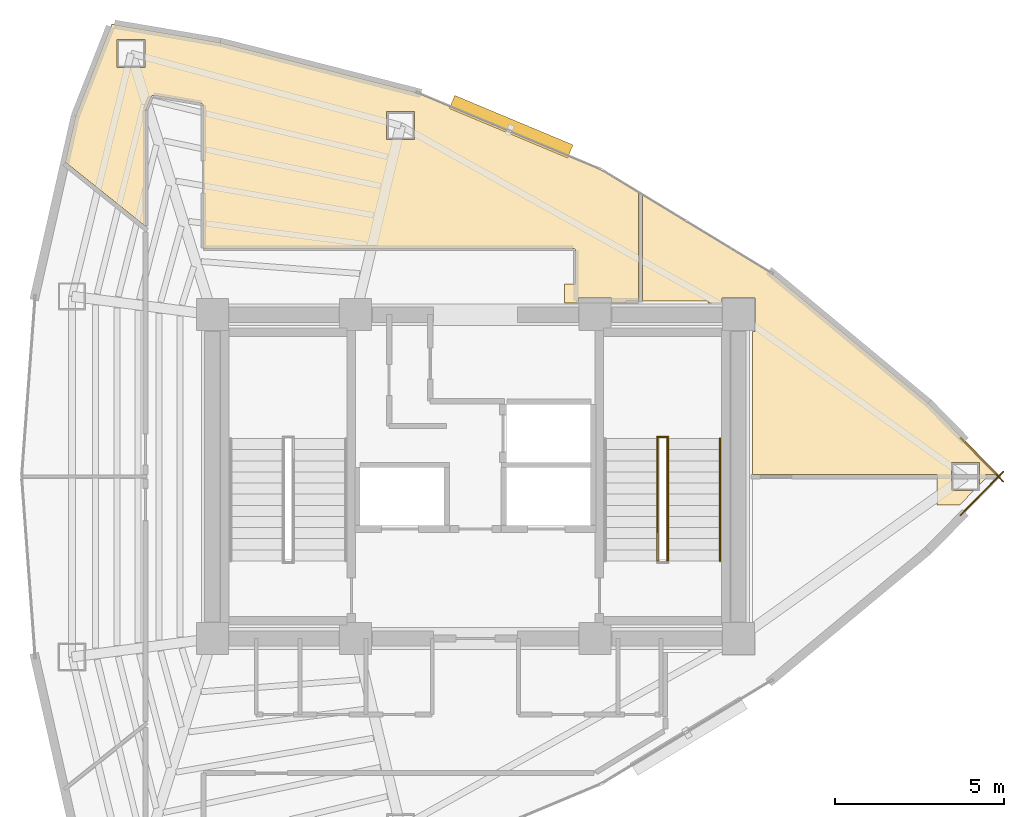
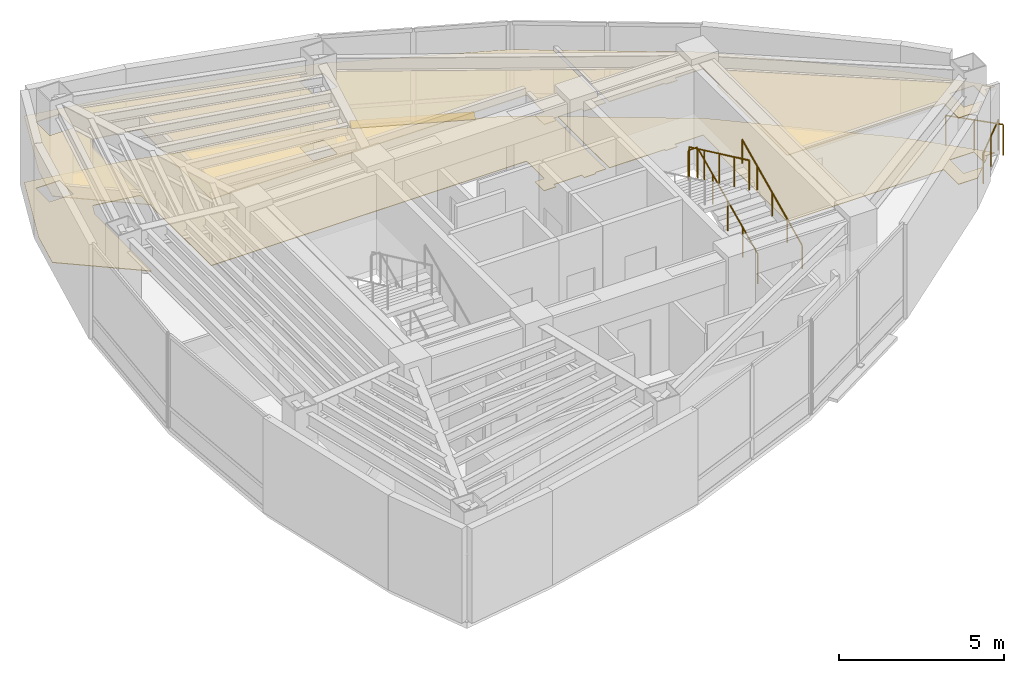
# One storey, part 15 of 15: 6 railings, 4 coverings, 1 shading device.
"""IFC4 building model written with IfcOpenShell, lengths in metres."""

from ifc_helpers import new_model, si_unit, direction, frame, origin, origin_2d, place, context, subcontext, project, spatial, polyline, rectangle, circle, outline, extrude, material, layer, layer_set, type_object, element, save


model = new_model("IFC4")

# Units and contexts
model_context = context("Model", 3, precision=1e-05, world=origin(), true_north=direction((0.0, 1.0)))
body_context = subcontext(model_context, "Body", "Model", "MODEL_VIEW")
ifc_project = project(units=[si_unit("LENGTHUNIT", "METRE"), si_unit("AREAUNIT", "SQUARE_METRE"), si_unit("VOLUMEUNIT", "CUBIC_METRE"), si_unit("PLANEANGLEUNIT", "RADIAN"), si_unit("MASSUNIT", "GRAM", prefix="KILO")], contexts=[model_context])

# Site, building, storey
site_placement = place(None, origin())
site = spatial("IfcSite", under=ifc_project, at=site_placement, CompositionType="ELEMENT")
building_placement = place(site_placement, origin())
building = spatial("IfcBuilding", under=site, at=building_placement, Name="Menara Vayukalpa", CompositionType="ELEMENT")
storey_placement = place(building_placement, frame((0.0, 0.0, 262.02001953125)))
storey = spatial("IfcBuildingStorey", under=building, at=storey_placement, Name="L66", CompositionType="ELEMENT", Elevation=262.02001953125)

# Coverings
ifc_material_1 = material(Name="Mineral Fibre Acoustic Ceiling Tile", Category="masonry")
ifc_layer_1 = layer(ifc_material_1, 0.02490234375)
ifc_layer_set_1 = layer_set([ifc_layer_1], Name="Mineral Fibre Acoustic Ceiling Tile")
covering_type_1 = type_object("IfcCoveringType", Name="COV-CLG1", PredefinedType="CEILING", material=ifc_layer_set_1)
covering_1_placement = place(storey_placement, frame((0.0, 0.0, 2.449951171875)))
element("IfcCovering", 1, at=covering_1_placement, inside=storey, type_object=covering_type_1, Name="L66 Technical Reference Library Acoustic Ceiling", PredefinedType="CEILING", context=body_context, shape_type="SweptSolid", body=[
    extrude(outline(polyline([(33.820068359375, 22.06005859375), (33.819091796875, 22.06005859375), (33.818115234375, 22.060302734375), (33.817138671875, 22.060302734375), (33.816162109375, 22.060791015625), (33.815185546875, 22.061279296875), (33.814453125, 22.061767578125), (33.813720703125, 22.062255859375), (33.81298828125, 22.06298828125), (33.812255859375, 22.063720703125), (33.811767578125, 22.064453125), (33.811279296875, 22.065185546875), (33.810791015625, 22.066162109375), (33.810302734375, 22.067138671875), (33.810302734375, 22.068115234375), (33.81005859375, 22.069091796875), (33.81005859375, 22.070068359375), (33.81005859375, 26.31005859375), (33.889892578125, 26.31005859375), (33.889892578125, 27.2900390625), (32.909912109375, 27.2900390625), (32.909912109375, 27.14990234375), (32.489990234375, 27.14990234375), (32.489990234375, 27.2099609375), (30.570068359375, 27.2099609375), (30.569091796875, 27.2099609375), (30.568115234375, 27.210205078125), (30.567138671875, 27.21044921875), (30.566162109375, 27.210693359375), (30.565185546875, 27.211181640625), (30.564453125, 27.211669921875), (30.563720703125, 27.21240234375), (30.56298828125, 27.212890625), (30.562255859375, 27.213623046875), (30.561767578125, 27.21435546875), (30.561279296875, 27.21533203125), (30.560791015625, 27.21630859375), (30.560302734375, 27.217041015625), (30.560302734375, 27.218017578125), (30.56005859375, 27.218994140625), (30.56005859375, 27.219970703125), (30.56005859375, 30.329345703125), (30.56005859375, 30.330322265625), (30.560302734375, 30.331298828125), (30.560302734375, 30.33203125), (30.560791015625, 30.3330078125), (30.56103515625, 30.333984375), (30.5615234375, 30.334716796875), (30.562255859375, 30.33544921875), (30.562744140625, 30.336181640625), (30.5634765625, 30.3369140625), (30.564208984375, 30.33740234375), (30.565185546875, 30.337890625), (30.56591796875, 30.33837890625), (30.56689453125, 30.3388671875), (30.56787109375, 30.339111328125), (30.568603515625, 30.339111328125), (30.569580078125, 30.33935546875), (30.570556640625, 30.33935546875), (30.571533203125, 30.339111328125), (30.572509765625, 30.339111328125), (30.573486328125, 30.338623046875), (30.57421875, 30.33837890625), (30.5751953125, 30.337890625), (34.37353515625, 28.030517578125), (34.374755859375, 28.02978515625), (39.0205078125, 24.177001953125), (39.021240234375, 24.17626953125), (41.082275390625, 22.076904296875), (41.0830078125, 22.076416015625), (41.08349609375, 22.075439453125), (41.083984375, 22.07470703125), (41.08447265625, 22.07373046875), (41.084716796875, 22.07275390625), (41.0849609375, 22.072021484375), (41.085205078125, 22.07080078125), (41.085205078125, 22.06982421875), (41.0849609375, 22.069091796875), (41.0849609375, 22.068115234375), (41.084716796875, 22.06689453125), (41.084228515625, 22.066162109375), (41.083984375, 22.065185546875), (41.08349609375, 22.064453125), (41.082763671875, 22.063720703125), (41.08203125, 22.06298828125), (41.081298828125, 22.062255859375), (41.08056640625, 22.061767578125), (41.079833984375, 22.061279296875), (41.078857421875, 22.060791015625), (41.077880859375, 22.060302734375), (41.076904296875, 22.060302734375), (41.076171875, 22.06005859375), (41.0751953125, 22.06005859375), (40.720703125, 22.06005859375), (40.779541015625, 22.0), (40.536865234375, 21.7529296875), (40.536865234375, 22.4150390625), (39.706787109375, 22.4150390625), (39.706787109375, 21.5849609375), (40.3720703125, 21.5849609375), (39.959716796875, 21.1650390625), (39.286865234375, 21.1650390625), (39.286865234375, 22.06005859375), (33.820068359375, 22.06005859375)])), origin(), (0.0, 0.0, 1.0), 0.025146484375),
])
covering_2_placement = place(storey_placement, frame((0.0, 0.0, 2.449951171875)))
element("IfcCovering", 2, at=covering_2_placement, inside=storey, type_object=covering_type_1, Name="L66 Technical Reference Library Acoustic Ceiling", PredefinedType="CEILING", context=body_context, shape_type="SweptSolid", body=[
    extrude(outline(polyline([(28.569580078125, 28.706787109375), (28.568603515625, 28.713623046875), (28.56689453125, 28.72021484375), (28.564697265625, 28.726806640625), (28.561767578125, 28.73291015625), (28.55810546875, 28.73876953125), (28.553955078125, 28.744384765625), (28.549560546875, 28.74951171875), (28.54443359375, 28.75390625), (28.538818359375, 28.75830078125), (28.532958984375, 28.76171875), (28.52685546875, 28.7646484375), (28.520263671875, 28.76708984375), (28.513671875, 28.768798828125), (28.5068359375, 28.76953125), (28.499755859375, 28.77001953125), (17.5400390625, 28.77001953125), (17.5390625, 28.77001953125), (17.5380859375, 28.770263671875), (17.537109375, 28.7705078125), (17.5361328125, 28.770751953125), (17.535400390625, 28.771240234375), (17.534423828125, 28.771728515625), (17.53369140625, 28.772216796875), (17.532958984375, 28.77294921875), (17.5322265625, 28.773681640625), (17.53173828125, 28.7744140625), (17.53125, 28.775390625), (17.53076171875, 28.776123046875), (17.530517578125, 28.777099609375), (17.5302734375, 28.778076171875), (17.530029296875, 28.779052734375), (17.530029296875, 28.780029296875), (17.530029296875, 32.995849609375), (17.529541015625, 33.003173828125), (17.528564453125, 33.010009765625), (17.52685546875, 33.016845703125), (17.5244140625, 33.0234375), (17.521484375, 33.02978515625), (17.517822265625, 33.03564453125), (17.513427734375, 33.041259765625), (17.5087890625, 33.04638671875), (17.50341796875, 33.05078125), (17.497802734375, 33.05517578125), (17.49169921875, 33.05859375), (17.485107421875, 33.061279296875), (17.478515625, 33.063720703125), (17.471435546875, 33.065185546875), (16.06201171875, 33.304443359375), (16.054931640625, 33.305419921875), (16.048095703125, 33.305419921875), (16.041259765625, 33.304931640625), (16.034423828125, 33.3037109375), (16.02783203125, 33.302001953125), (16.021484375, 33.299560546875), (16.015625, 33.29638671875), (16.009765625, 33.292724609375), (16.00439453125, 33.28857421875), (15.999267578125, 33.283935546875), (15.994873046875, 33.27880859375), (15.990966796875, 33.273193359375), (15.987548828125, 33.267333984375), (15.984619140625, 33.2607421875), (15.8349609375, 32.87939453125), (15.832763671875, 32.873291015625), (15.831298828125, 32.86669921875), (15.830322265625, 32.8603515625), (15.830078125, 32.853515625), (15.830078125, 29.43359375), (15.830078125, 29.4326171875), (15.829833984375, 29.431640625), (15.82958984375, 29.4306640625), (15.8291015625, 29.4296875), (15.828857421875, 29.428955078125), (15.828369140625, 29.427978515625), (15.827880859375, 29.42724609375), (15.8271484375, 29.426513671875), (15.826416015625, 29.42578125), (15.82568359375, 29.42529296875), (15.82470703125, 29.4248046875), (15.823974609375, 29.42431640625), (15.822998046875, 29.424072265625), (15.822021484375, 29.423828125), (15.821044921875, 29.423583984375), (15.820068359375, 29.423583984375), (15.819091796875, 29.423583984375), (15.818115234375, 29.423828125), (15.817138671875, 29.424072265625), (15.81640625, 29.42431640625), (15.8154296875, 29.4248046875), (15.814453125, 29.42529296875), (15.813720703125, 29.42578125), (13.44921875, 31.3173828125), (13.448974609375, 31.317626953125), (13.448486328125, 31.318115234375), (13.44775390625, 31.31884765625), (13.447021484375, 31.319580078125), (13.4462890625, 31.3203125), (13.44580078125, 31.3212890625), (13.445556640625, 31.322021484375), (13.4453125, 31.322998046875), (13.445068359375, 31.323974609375), (13.44482421875, 31.324951171875), (13.44482421875, 31.325927734375), (13.44482421875, 31.326904296875), (13.445068359375, 31.327880859375), (13.75146484375, 32.689697265625), (13.751708984375, 32.690185546875), (13.751953125, 32.691162109375), (14.8173828125, 35.404541015625), (14.81787109375, 35.4052734375), (14.818359375, 35.40625), (14.81884765625, 35.406982421875), (14.819580078125, 35.40771484375), (14.8203125, 35.408447265625), (14.821044921875, 35.408935546875), (14.822021484375, 35.409423828125), (14.82275390625, 35.409912109375), (14.82373046875, 35.410400390625), (14.82470703125, 35.41064453125), (14.82568359375, 35.41064453125), (14.826416015625, 35.410888671875), (14.827392578125, 35.410888671875), (14.82861328125, 35.41064453125), (18.027587890625, 34.867431640625), (18.028564453125, 34.8671875), (23.877197265625, 33.375732421875), (23.878662109375, 33.375244140625), (29.32568359375, 31.0966796875), (29.326416015625, 31.09619140625), (29.3271484375, 31.095947265625), (30.435546875, 30.422607421875), (30.436279296875, 30.422119140625), (30.437255859375, 30.42138671875), (30.437744140625, 30.4208984375), (30.4384765625, 30.419921875), (30.43896484375, 30.419189453125), (30.439453125, 30.418212890625), (30.439697265625, 30.41748046875), (30.440185546875, 30.41650390625), (30.440185546875, 30.41552734375), (30.4404296875, 30.41455078125), (30.4404296875, 30.41357421875), (30.440185546875, 30.41259765625), (30.440185546875, 30.412353515625), (30.43994140625, 30.40673828125), (30.43994140625, 27.219970703125), (30.43994140625, 27.218994140625), (30.439697265625, 27.218017578125), (30.439697265625, 27.217041015625), (30.439208984375, 27.21630859375), (30.438720703125, 27.21533203125), (30.438232421875, 27.21435546875), (30.437744140625, 27.213623046875), (30.43701171875, 27.212890625), (30.436279296875, 27.21240234375), (30.435546875, 27.211669921875), (30.434814453125, 27.211181640625), (30.433837890625, 27.210693359375), (30.432861328125, 27.21044921875), (30.431884765625, 27.210205078125), (30.430908203125, 27.2099609375), (30.429931640625, 27.2099609375), (30.06005859375, 27.2099609375), (30.06005859375, 27.14990234375), (29.639892578125, 27.14990234375), (29.639892578125, 27.2900390625), (28.659912109375, 27.2900390625), (28.659912109375, 27.14990234375), (28.239990234375, 27.14990234375), (28.239990234375, 27.7099609375), (28.570068359375, 27.7099609375), (28.570068359375, 28.69970703125), (28.569580078125, 28.706787109375)]), holes=[polyline([(15.80419921875, 34.959716796875), (14.97412109375, 34.959716796875), (14.97412109375, 34.129638671875), (15.80419921875, 34.129638671875), (15.80419921875, 34.959716796875)]), polyline([(23.796875, 32.81982421875), (22.966796875, 32.81982421875), (22.966796875, 31.98974609375), (23.796875, 31.98974609375), (23.796875, 32.81982421875)])]), origin(), (0.0, 0.0, 1.0), 0.025146484375),
])
ifc_material_2 = material(Name="Porcelain Stoneware Floor Tile", Category="masonry")
ifc_layer_2 = layer(ifc_material_2, 0.02001953125)
ifc_layer_set_2 = layer_set([ifc_layer_2], Name="Porcelain Stoneware Floor Tile")
covering_type_2 = type_object("IfcCoveringType", Name="COV-FLR1", PredefinedType="FLOORING", material=ifc_layer_set_2)
covering_3_placement = place(storey_placement, origin())
element("IfcCovering", 3, at=covering_3_placement, inside=storey, type_object=covering_type_2, Name="L66 Technical Reference Library Porcelain Flooring", PredefinedType="FLOORING", context=body_context, shape_type="SweptSolid", body=[
    extrude(outline(polyline([(33.820068359375, 22.06005859375), (33.819091796875, 22.06005859375), (33.818115234375, 22.060302734375), (33.817138671875, 22.060302734375), (33.816162109375, 22.060791015625), (33.815185546875, 22.061279296875), (33.814453125, 22.061767578125), (33.813720703125, 22.062255859375), (33.81298828125, 22.06298828125), (33.812255859375, 22.063720703125), (33.811767578125, 22.064453125), (33.811279296875, 22.065185546875), (33.810791015625, 22.066162109375), (33.810302734375, 22.067138671875), (33.810302734375, 22.068115234375), (33.81005859375, 22.069091796875), (33.81005859375, 22.070068359375), (33.81005859375, 26.31005859375), (33.889892578125, 26.31005859375), (33.889892578125, 27.2900390625), (32.909912109375, 27.2900390625), (32.909912109375, 27.14990234375), (32.489990234375, 27.14990234375), (32.489990234375, 27.2099609375), (30.570068359375, 27.2099609375), (30.569091796875, 27.2099609375), (30.568115234375, 27.210205078125), (30.567138671875, 27.21044921875), (30.566162109375, 27.210693359375), (30.565185546875, 27.211181640625), (30.564453125, 27.211669921875), (30.563720703125, 27.21240234375), (30.56298828125, 27.212890625), (30.562255859375, 27.213623046875), (30.561767578125, 27.21435546875), (30.561279296875, 27.21533203125), (30.560791015625, 27.21630859375), (30.560302734375, 27.217041015625), (30.560302734375, 27.218017578125), (30.56005859375, 27.218994140625), (30.56005859375, 27.219970703125), (30.56005859375, 30.329345703125), (30.56005859375, 30.330322265625), (30.560302734375, 30.331298828125), (30.560302734375, 30.33203125), (30.560791015625, 30.3330078125), (30.56103515625, 30.333984375), (30.5615234375, 30.334716796875), (30.562255859375, 30.33544921875), (30.562744140625, 30.336181640625), (30.5634765625, 30.3369140625), (30.564208984375, 30.33740234375), (30.565185546875, 30.337890625), (30.56591796875, 30.33837890625), (30.56689453125, 30.3388671875), (30.56787109375, 30.339111328125), (30.568603515625, 30.339111328125), (30.569580078125, 30.33935546875), (30.570556640625, 30.33935546875), (30.571533203125, 30.339111328125), (30.572509765625, 30.339111328125), (30.573486328125, 30.338623046875), (30.57421875, 30.33837890625), (30.5751953125, 30.337890625), (34.37353515625, 28.030517578125), (34.374755859375, 28.02978515625), (39.0205078125, 24.177001953125), (39.021240234375, 24.17626953125), (41.082275390625, 22.076904296875), (41.0830078125, 22.076416015625), (41.08349609375, 22.075439453125), (41.083984375, 22.07470703125), (41.08447265625, 22.07373046875), (41.084716796875, 22.07275390625), (41.0849609375, 22.072021484375), (41.085205078125, 22.07080078125), (41.085205078125, 22.06982421875), (41.0849609375, 22.069091796875), (41.0849609375, 22.068115234375), (41.084716796875, 22.06689453125), (41.084228515625, 22.066162109375), (41.083984375, 22.065185546875), (41.08349609375, 22.064453125), (41.082763671875, 22.063720703125), (41.08203125, 22.06298828125), (41.081298828125, 22.062255859375), (41.08056640625, 22.061767578125), (41.079833984375, 22.061279296875), (41.078857421875, 22.060791015625), (41.077880859375, 22.060302734375), (41.076904296875, 22.060302734375), (41.076171875, 22.06005859375), (41.0751953125, 22.06005859375), (40.720703125, 22.06005859375), (40.779541015625, 22.0), (40.536865234375, 21.7529296875), (40.536865234375, 22.4150390625), (39.706787109375, 22.4150390625), (39.706787109375, 21.5849609375), (40.3720703125, 21.5849609375), (39.959716796875, 21.1650390625), (39.286865234375, 21.1650390625), (39.286865234375, 22.06005859375), (33.820068359375, 22.06005859375)])), origin(), (0.0, 0.0, 1.0), 0.02001953125),
])
covering_4_placement = place(storey_placement, origin())
element("IfcCovering", 4, at=covering_4_placement, inside=storey, type_object=covering_type_2, Name="L66 Technical Reference Library Porcelain Flooring", PredefinedType="FLOORING", context=body_context, shape_type="SweptSolid", body=[
    extrude(outline(polyline([(28.569580078125, 28.706787109375), (28.568603515625, 28.713623046875), (28.56689453125, 28.72021484375), (28.564697265625, 28.726806640625), (28.561767578125, 28.73291015625), (28.55810546875, 28.73876953125), (28.553955078125, 28.744384765625), (28.549560546875, 28.74951171875), (28.54443359375, 28.75390625), (28.538818359375, 28.75830078125), (28.532958984375, 28.76171875), (28.52685546875, 28.7646484375), (28.520263671875, 28.76708984375), (28.513671875, 28.768798828125), (28.5068359375, 28.76953125), (28.499755859375, 28.77001953125), (17.5400390625, 28.77001953125), (17.5390625, 28.77001953125), (17.5380859375, 28.770263671875), (17.537109375, 28.7705078125), (17.5361328125, 28.770751953125), (17.535400390625, 28.771240234375), (17.534423828125, 28.771728515625), (17.53369140625, 28.772216796875), (17.532958984375, 28.77294921875), (17.5322265625, 28.773681640625), (17.53173828125, 28.7744140625), (17.53125, 28.775390625), (17.53076171875, 28.776123046875), (17.530517578125, 28.777099609375), (17.5302734375, 28.778076171875), (17.530029296875, 28.779052734375), (17.530029296875, 28.780029296875), (17.530029296875, 32.995849609375), (17.529541015625, 33.003173828125), (17.528564453125, 33.010009765625), (17.52685546875, 33.016845703125), (17.5244140625, 33.0234375), (17.521484375, 33.02978515625), (17.517822265625, 33.03564453125), (17.513427734375, 33.041259765625), (17.5087890625, 33.04638671875), (17.50341796875, 33.05078125), (17.497802734375, 33.05517578125), (17.49169921875, 33.05859375), (17.485107421875, 33.061279296875), (17.478515625, 33.063720703125), (17.471435546875, 33.065185546875), (16.06201171875, 33.304443359375), (16.054931640625, 33.305419921875), (16.048095703125, 33.305419921875), (16.041259765625, 33.304931640625), (16.034423828125, 33.3037109375), (16.02783203125, 33.302001953125), (16.021484375, 33.299560546875), (16.015625, 33.29638671875), (16.009765625, 33.292724609375), (16.00439453125, 33.28857421875), (15.999267578125, 33.283935546875), (15.994873046875, 33.27880859375), (15.990966796875, 33.273193359375), (15.987548828125, 33.267333984375), (15.984619140625, 33.2607421875), (15.8349609375, 32.87939453125), (15.832763671875, 32.873291015625), (15.831298828125, 32.86669921875), (15.830322265625, 32.8603515625), (15.830078125, 32.853515625), (15.830078125, 29.43359375), (15.830078125, 29.4326171875), (15.829833984375, 29.431640625), (15.82958984375, 29.4306640625), (15.8291015625, 29.4296875), (15.828857421875, 29.428955078125), (15.828369140625, 29.427978515625), (15.827880859375, 29.42724609375), (15.8271484375, 29.426513671875), (15.826416015625, 29.42578125), (15.82568359375, 29.42529296875), (15.82470703125, 29.4248046875), (15.823974609375, 29.42431640625), (15.822998046875, 29.424072265625), (15.822021484375, 29.423828125), (15.821044921875, 29.423583984375), (15.820068359375, 29.423583984375), (15.819091796875, 29.423583984375), (15.818115234375, 29.423828125), (15.817138671875, 29.424072265625), (15.81640625, 29.42431640625), (15.8154296875, 29.4248046875), (15.814453125, 29.42529296875), (15.813720703125, 29.42578125), (13.44921875, 31.3173828125), (13.448974609375, 31.317626953125), (13.448486328125, 31.318115234375), (13.44775390625, 31.31884765625), (13.447021484375, 31.319580078125), (13.4462890625, 31.3203125), (13.44580078125, 31.3212890625), (13.445556640625, 31.322021484375), (13.4453125, 31.322998046875), (13.445068359375, 31.323974609375), (13.44482421875, 31.324951171875), (13.44482421875, 31.325927734375), (13.44482421875, 31.326904296875), (13.445068359375, 31.327880859375), (13.75146484375, 32.689697265625), (13.751708984375, 32.690185546875), (13.751953125, 32.691162109375), (14.8173828125, 35.404541015625), (14.81787109375, 35.4052734375), (14.818359375, 35.40625), (14.81884765625, 35.406982421875), (14.819580078125, 35.40771484375), (14.8203125, 35.408447265625), (14.821044921875, 35.408935546875), (14.822021484375, 35.409423828125), (14.82275390625, 35.409912109375), (14.82373046875, 35.410400390625), (14.82470703125, 35.41064453125), (14.82568359375, 35.41064453125), (14.826416015625, 35.410888671875), (14.827392578125, 35.410888671875), (14.82861328125, 35.41064453125), (18.027587890625, 34.867431640625), (18.028564453125, 34.8671875), (23.877197265625, 33.375732421875), (23.878662109375, 33.375244140625), (29.32568359375, 31.0966796875), (29.326416015625, 31.09619140625), (29.3271484375, 31.095947265625), (30.435546875, 30.422607421875), (30.436279296875, 30.422119140625), (30.437255859375, 30.42138671875), (30.437744140625, 30.4208984375), (30.4384765625, 30.419921875), (30.43896484375, 30.419189453125), (30.439453125, 30.418212890625), (30.439697265625, 30.41748046875), (30.440185546875, 30.41650390625), (30.440185546875, 30.41552734375), (30.4404296875, 30.41455078125), (30.4404296875, 30.41357421875), (30.440185546875, 30.41259765625), (30.440185546875, 30.412353515625), (30.43994140625, 30.40673828125), (30.43994140625, 27.219970703125), (30.43994140625, 27.218994140625), (30.439697265625, 27.218017578125), (30.439697265625, 27.217041015625), (30.439208984375, 27.21630859375), (30.438720703125, 27.21533203125), (30.438232421875, 27.21435546875), (30.437744140625, 27.213623046875), (30.43701171875, 27.212890625), (30.436279296875, 27.21240234375), (30.435546875, 27.211669921875), (30.434814453125, 27.211181640625), (30.433837890625, 27.210693359375), (30.432861328125, 27.21044921875), (30.431884765625, 27.210205078125), (30.430908203125, 27.2099609375), (30.429931640625, 27.2099609375), (30.06005859375, 27.2099609375), (30.06005859375, 27.14990234375), (29.639892578125, 27.14990234375), (29.639892578125, 27.2900390625), (28.659912109375, 27.2900390625), (28.659912109375, 27.14990234375), (28.239990234375, 27.14990234375), (28.239990234375, 27.7099609375), (28.570068359375, 27.7099609375), (28.570068359375, 28.69970703125), (28.569580078125, 28.706787109375)]), holes=[polyline([(15.80419921875, 34.959716796875), (14.97412109375, 34.959716796875), (14.97412109375, 34.129638671875), (15.80419921875, 34.129638671875), (15.80419921875, 34.959716796875)]), polyline([(23.796875, 32.81982421875), (22.966796875, 32.81982421875), (22.966796875, 31.98974609375), (23.796875, 31.98974609375), (23.796875, 32.81982421875)])]), origin(), (0.0, 0.0, 1.0), 0.02001953125),
])

# Railings
ifc_material_3 = material(Name="Laminated Glass and Stainless Steel 316 Guardrail", Category="steel")
railing_type_1 = type_object("IfcRailingType", Name="RLG-EXT115", PredefinedType="GUARDRAIL", material=ifc_material_3)
railing_1_placement = place(storey_placement, frame((39.976318359375, 20.853515625, 0.0)))
element("IfcRailing", 5, at=railing_1_placement, inside=storey, type_object=railing_type_1, Name="L66 Column Corner Spandrel Guardrail 01-1", PredefinedType="GUARDRAIL", context=body_context, shape_type="SweptSolid", body=[
    extrude(circle(Radius=0.02392578125, at=origin_2d()), frame((0.0, 0.0, 1.1259765625), z_axis=(0.700555224103, 0.713598190848, 0.0), x_axis=(-0.713598190848, 0.700555224103, 0.0)), (0.0, 0.0, 1.0), 1.815673828125),
    extrude(circle(Radius=0.02099609375, at=origin_2d()), origin(), (0.0, 0.0, 1.0), 1.101806640625),
    extrude(circle(Radius=0.02099609375, at=origin_2d()), frame((0.635986328125, 0.64794921875, 0.0)), (0.0, 0.0, 1.0), 1.101806640625),
    extrude(circle(Radius=0.02099609375, at=origin_2d()), frame((1.27197265625, 1.295654296875, 0.0)), (0.0, 0.0, 1.0), 1.101806640625),
])
railing_2_placement = place(storey_placement, frame((41.248291015625, 21.850830078125, 0.0)))
element("IfcRailing", 6, at=railing_2_placement, inside=storey, type_object=railing_type_1, Name="L66 Column Corner Spandrel Guardrail 02-1", PredefinedType="GUARDRAIL", context=body_context, shape_type="SweptSolid", body=[
    extrude(circle(Radius=0.02392578125, at=origin_2d()), frame((0.0, 0.0, 1.1259765625), z_axis=(-0.700555224103, 0.713598190848, 0.0), x_axis=(-0.713598190848, -0.700555224103, 0.0)), (0.0, 0.0, 1.0), 1.815673828125),
    extrude(circle(Radius=0.02099609375, at=origin_2d()), origin(), (0.0, 0.0, 1.0), 1.101806640625),
    extrude(circle(Radius=0.02099609375, at=origin_2d()), frame((-0.635986328125, 0.64794921875, 0.0)), (0.0, 0.0, 1.0), 1.101806640625),
    extrude(circle(Radius=0.02099609375, at=origin_2d()), frame((-1.27197265625, 1.295654296875, 0.0)), (0.0, 0.0, 1.0), 1.101806640625),
])
ifc_material_4 = material(Name="Powder-Coated Galvanised Steel Guardrail", Category="steel")
railing_type_2 = type_object("IfcRailingType", Name="RLG-STG110", PredefinedType="GUARDRAIL", material=ifc_material_4)
railing_3_placement = place(storey_placement, frame((31.300048828125, 19.5, 0.155029296875)))
element("IfcRailing", 7, at=railing_3_placement, inside=storey, type_object=railing_type_2, Name="L66 ST-2 stair guard 1", PredefinedType="GUARDRAIL", context=body_context, shape_type="SweptSolid", body=[
    extrude(circle(Radius=0.02392578125, at=origin_2d()), frame((0.0, 0.0, 1.09619140625), z_axis=(0.0, 0.90513990983, 0.425113800803), x_axis=(-1.0, 0.0, 0.0)), (0.0, 0.0, 1.0), 4.01025390625),
    extrude(circle(Radius=0.02099609375, at=origin_2d()), origin(), (0.0, 0.0, 1.0), 1.072021484375),
    extrude(circle(Radius=0.02099609375, at=origin_2d()), frame((0.0, 0.907470703125, 0.42626953125)), (0.0, 0.0, 1.0), 1.072021484375),
    extrude(circle(Radius=0.02099609375, at=origin_2d()), frame((0.0, 1.81494140625, 0.8525390625)), (0.0, 0.0, 1.0), 1.072021484375),
    extrude(circle(Radius=0.02099609375, at=origin_2d()), frame((0.0, 2.722412109375, 1.278564453125)), (0.0, 0.0, 1.0), 1.072021484375),
    extrude(circle(Radius=0.02099609375, at=origin_2d()), frame((0.0, 3.6298828125, 1.704833984375)), (0.0, 0.0, 1.0), 1.072021484375),
])
railing_4_placement = place(storey_placement, frame((31.31005859375, 23.179931640625, 1.85986328125)))
element("IfcRailing", 8, at=railing_4_placement, inside=storey, type_object=railing_type_2, Name="L66 ST-2 stair guard 2", PredefinedType="GUARDRAIL", context=body_context, shape_type="SweptSolid", body=[
    extrude(circle(Radius=0.02392578125, at=origin_2d()), frame((0.0, 0.0, 1.09619140625), z_axis=(-1.0, 0.0, 0.0), x_axis=(0.0, -1.0, 0.0)), (0.0, 0.0, 1.0), 0.320068359375),
    extrude(circle(Radius=0.02099609375, at=origin_2d()), origin(), (0.0, 0.0, 1.0), 1.072021484375),
    extrude(circle(Radius=0.02099609375, at=origin_2d()), frame((-0.320068359375, 0.0, 0.0)), (0.0, 0.0, 1.0), 1.072021484375),
])
railing_5_placement = place(storey_placement, frame((31.0, 23.1298828125, 2.014892578125)))
element("IfcRailing", 9, at=railing_5_placement, inside=storey, type_object=railing_type_2, Name="L66 ST-2 stair guard 3", PredefinedType="GUARDRAIL", context=body_context, shape_type="SweptSolid", body=[
    extrude(circle(Radius=0.02392578125, at=origin_2d()), frame((0.0, 0.0, 1.09619140625), z_axis=(0.0, -0.90511648382, 0.425163675209), x_axis=(1.0, 0.0, 0.0)), (0.0, 0.0, 1.0), 4.010498046875),
    extrude(circle(Radius=0.02099609375, at=origin_2d()), origin(), (0.0, 0.0, 1.0), 1.072021484375),
    extrude(circle(Radius=0.02099609375, at=origin_2d()), frame((0.0, -0.907470703125, 0.42626953125)), (0.0, 0.0, 1.0), 1.072021484375),
    extrude(circle(Radius=0.02099609375, at=origin_2d()), frame((0.0, -1.81494140625, 0.8525390625)), (0.0, 0.0, 1.0), 1.072021484375),
    extrude(circle(Radius=0.02099609375, at=origin_2d()), frame((0.0, -2.722412109375, 1.27880859375)), (0.0, 0.0, 1.0), 1.072021484375),
    extrude(circle(Radius=0.02099609375, at=origin_2d()), frame((0.0, -3.6298828125, 1.705078125)), (0.0, 0.0, 1.0), 1.072021484375),
])
ifc_material_5 = material(Name="Stainless Steel 316 Tubular Handrail", Category="steel")
railing_type_3 = type_object("IfcRailingType", Name="RLG-STH090", PredefinedType="HANDRAIL", material=ifc_material_5)
railing_6_placement = place(storey_placement, frame((32.85009765625, 19.5, 0.155029296875)))
element("IfcRailing", 10, at=railing_6_placement, inside=storey, type_object=railing_type_3, Name="L66 ST-2 stair handrail 1", PredefinedType="HANDRAIL", context=body_context, shape_type="SweptSolid", body=[
    extrude(circle(Radius=0.02392578125, at=origin_2d()), frame((0.0, 0.0, 0.8759765625), z_axis=(0.0, 0.90513990983, 0.425113800803), x_axis=(-1.0, 0.0, 0.0)), (0.0, 0.0, 1.0), 4.01025390625),
    extrude(circle(Radius=0.02099609375, at=origin_2d()), origin(), (0.0, 0.0, 1.0), 0.851806640625),
    extrude(circle(Radius=0.02099609375, at=origin_2d()), frame((0.0, 0.907470703125, 0.42626953125)), (0.0, 0.0, 1.0), 0.851806640625),
    extrude(circle(Radius=0.02099609375, at=origin_2d()), frame((0.0, 1.81494140625, 0.8525390625)), (0.0, 0.0, 1.0), 0.851806640625),
    extrude(circle(Radius=0.02099609375, at=origin_2d()), frame((0.0, 2.722412109375, 1.278564453125)), (0.0, 0.0, 1.0), 0.851806640625),
    extrude(circle(Radius=0.02099609375, at=origin_2d()), frame((0.0, 3.6298828125, 1.704833984375)), (0.0, 0.0, 1.0), 0.851806640625),
])

# Shading device
ifc_material_6 = material(Name="Glazed Terracotta Ceramic Baguette Extrusion", Category="masonry")
ifc_layer_3 = layer(ifc_material_6, 0.1201171875)
ifc_layer_set_3 = layer_set([ifc_layer_3], Name="Glazed Terracotta Ceramic Baguette Extrusion")
shading_device_type = type_object("IfcShadingDeviceType", Name="SHD-SS1", PredefinedType="USERDEFINED", material=ifc_layer_set_3)
shading_device_placement = place(storey_placement, frame((26.66015625, 32.374267578125, -0.10009765625), z_axis=(0.0, 0.0, 1.0), x_axis=(-0.922538089456, 0.385906042324, 0.0)))
element("IfcShadingDevice", 11, at=shading_device_placement, inside=storey, type_object=shading_device_type, Name="L66 Horizontal Terracotta Sunshade Band 05", ObjectType="SUNSHADE", PredefinedType="USERDEFINED", context=body_context, shape_type="SweptSolid", body=[
    extrude(rectangle(XDim=3.800048828125, YDim=0.419921875, at=origin_2d()), origin(), (0.0, 0.0, 1.0), 0.1201171875),
])

save(model, "model.ifc")
